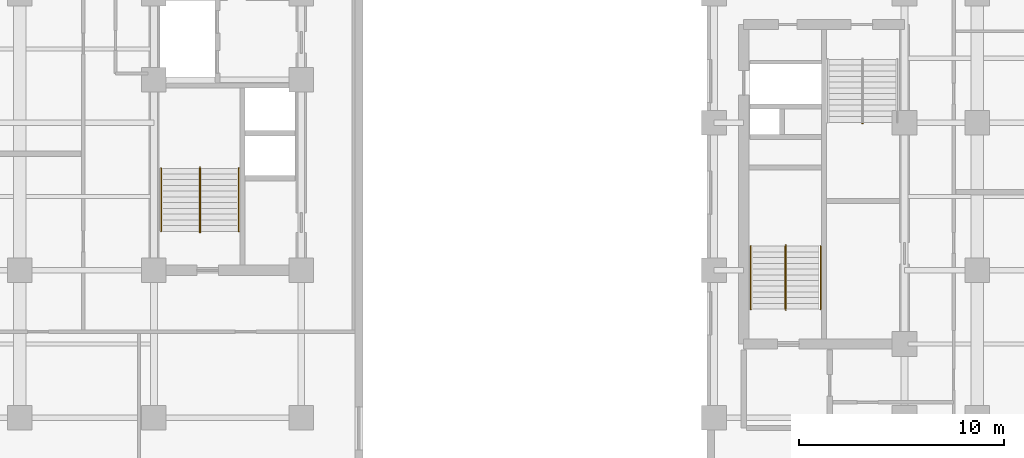
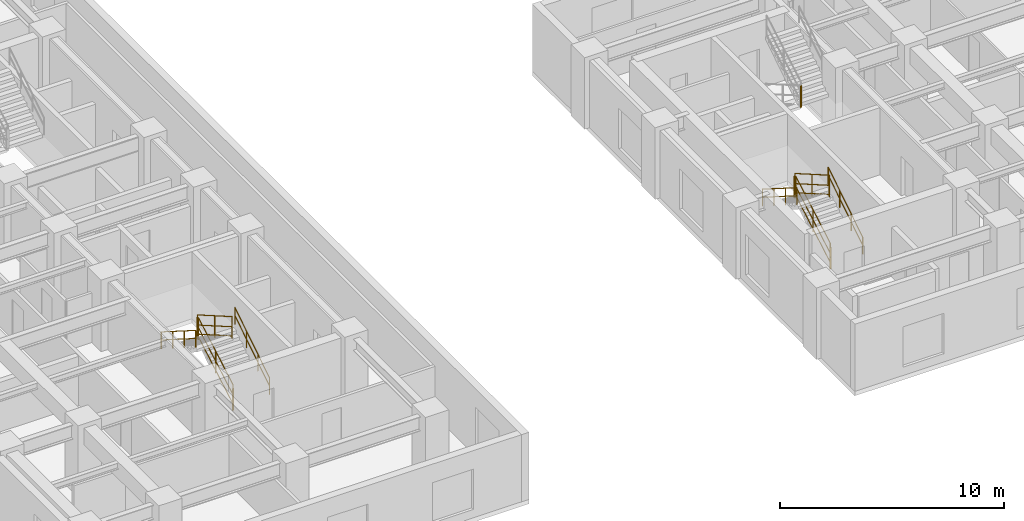
# One storey, part 6 of 8: 13 railings.
"""IFC4 building model written with IfcOpenShell, lengths in metres."""

import ifcopenshell
import ifcopenshell.guid

model = None  # the IFC model being written
_history = None  # IfcOwnerHistory: only IFC2X3 demands one
_inside = {}  # id of a spatial element -> (the spatial element, [elements in it])
_under = {}  # id of a project, library or spatial element -> (it, [spatial elements below it])
_declared = {}  # id of a project -> (the project, [libraries it declares])
_typed = {}  # id of a type object -> (the type object, [elements of that type])
_made_of = {}  # id of a material, layer set ... -> (it, [elements and type objects made of it])


def new_model(schema):
    """Start an empty IFC model of exactly this schema.

    Asked for "IFC4X3", IfcOpenShell would pick the latest addendum, in which some entities
    have other attributes; the version numbers below select the first issue.
    IFC2X3 requires an IfcOwnerHistory on every rooted entity: one is made here for all.
    """
    global model, _history
    if schema == "IFC4X3":
        model = ifcopenshell.file(schema_version=(4, 3, 0, 0))
    else:
        model = ifcopenshell.file(schema=schema)
    _inside.clear()
    _under.clear()
    _declared.clear()
    _typed.clear()
    _made_of.clear()
    _history = None
    if model.schema == "IFC2X3":
        org = make("IfcOrganization", Name="unknown")
        user = make(
            "IfcPersonAndOrganization",
            ThePerson=make("IfcPerson", FamilyName="unknown"),
            TheOrganization=org,
        )
        app = make(
            "IfcApplication",
            ApplicationDeveloper=org,
            Version="unknown",
            ApplicationFullName="unknown",
            ApplicationIdentifier="unknown",
        )
        _history = make(
            "IfcOwnerHistory",
            OwningUser=user,
            OwningApplication=app,
            ChangeAction="ADDED",
            CreationDate=0,
        )
    return model


def make(cls, **values):
    """One entity of the class cls with the attributes given. An attribute that is None is left unset."""
    return model.create_entity(
        cls, **{name: value for name, value in values.items() if value is not None}
    )


def entity(cls, *values):
    """Any entity or typed value of the class cls, its attributes in the order of the schema. None: left unset."""
    e = model.create_entity(cls)
    for i, value in enumerate(values):
        if value is not None:
            e[i] = value
    return e


def rooted(cls, **values):
    """An entity with a GlobalId (a new one), such as an element, a storey or a relation."""
    return make(cls, GlobalId=ifcopenshell.guid.new(), OwnerHistory=_history, **values)


def si_unit(unit_type, name, prefix=None):
    """IfcSIUnit, for example si_unit("LENGTHUNIT", "METRE", prefix="MILLI")."""
    return make("IfcSIUnit", UnitType=unit_type, Prefix=prefix, Name=name)


def converted_unit(unit_type, name, factor, base, dimensions=None, offset=None):
    """IfcConversionBasedUnit, such as the inch: factor (a typed value) times the base unit."""
    return make(
        "IfcConversionBasedUnit"
        if offset is None
        else "IfcConversionBasedUnitWithOffset",
        ConversionOffset=offset,
        Dimensions=None
        if dimensions is None
        else entity("IfcDimensionalExponents", *dimensions),
        UnitType=unit_type,
        Name=name,
        ConversionFactor=make(
            "IfcMeasureWithUnit", ValueComponent=factor, UnitComponent=base
        ),
    )


def assignment(units):
    """IfcUnitAssignment: the units of a project."""
    return None if units is None else make("IfcUnitAssignment", Units=units)


def point(xyz):
    """IfcCartesianPoint."""
    return None if xyz is None else make("IfcCartesianPoint", Coordinates=xyz)


def direction(xyz):
    """IfcDirection."""
    return None if xyz is None else make("IfcDirection", DirectionRatios=xyz)


def frame(location, z_axis=None, x_axis=None):
    """IfcAxis2Placement3D, a coordinate frame: its origin and axes. An axis left out is left unset."""
    return make(
        "IfcAxis2Placement3D",
        Location=point(location),
        Axis=direction(z_axis),
        RefDirection=direction(x_axis),
    )


def frame_2d(location, x_axis=None):
    """IfcAxis2Placement2D, a coordinate frame in the plane: its origin and x axis."""
    return make(
        "IfcAxis2Placement2D", Location=point(location), RefDirection=direction(x_axis)
    )


def origin_with_axes():
    """The frame at (0, 0, 0) with the z axis (0, 0, 1) and the x axis (1, 0, 0) written out."""
    return frame((0.0, 0.0, 0.0), z_axis=(0.0, 0.0, 1.0), x_axis=(1.0, 0.0, 0.0))


def origin_2d_with_axis():
    """The frame at (0, 0) in the plane with the x axis (1, 0) written out."""
    return frame_2d((0.0, 0.0), x_axis=(1.0, 0.0))


def place(relative_to, where):
    """IfcLocalPlacement: puts the frame where relative to a parent placement (None: the world)."""
    return make(
        "IfcLocalPlacement", PlacementRelTo=relative_to, RelativePlacement=where
    )


def context(
    kind, dimensions, precision=None, world=None, true_north=None, identifier=None
):
    """IfcGeometricRepresentationContext, for example the 3D "Model" context."""
    return make(
        "IfcGeometricRepresentationContext",
        ContextIdentifier=identifier,
        ContextType=kind,
        CoordinateSpaceDimension=dimensions,
        Precision=precision,
        WorldCoordinateSystem=world,
        TrueNorth=true_north,
    )


def subcontext(parent, identifier, kind, view, scale=None):
    """IfcGeometricRepresentationSubContext, for example "Body" below "Model"."""
    return make(
        "IfcGeometricRepresentationSubContext",
        ContextIdentifier=identifier,
        ContextType=kind,
        ParentContext=parent,
        TargetScale=scale,
        TargetView=view,
    )


def project(units=None, contexts=None):
    """IfcProject with its units and contexts."""
    return rooted(
        "IfcProject",
        Name="project",
        RepresentationContexts=contexts,
        UnitsInContext=assignment(units),
    )


def spatial(cls, under=None, at=None, **own):
    """A site, building, storey or space (cls), placed at a placement, below another one or the project."""
    s = rooted(cls, ObjectPlacement=at, **own)
    if under is not None:
        _under.setdefault(under.id(), (under, []))[1].append(s)
    return s


def profile(cls, at=None, kind="AREA", **sizes):
    """A parametric profile (cls). Its sizes go by their IFC names, for example OverallWidth=200.0."""
    return make(cls, ProfileType=kind, Position=at, **sizes)


def rectangle(**sizes):
    """IfcRectangleProfileDef."""
    return profile("IfcRectangleProfileDef", **sizes)


def circle(**sizes):
    """IfcCircleProfileDef."""
    return profile("IfcCircleProfileDef", **sizes)


def extrude(swept, where, along, depth):
    """IfcExtrudedAreaSolid: the profile swept, set in the frame where, extruded along a direction by depth."""
    return make(
        "IfcExtrudedAreaSolid",
        SweptArea=swept,
        Position=where,
        ExtrudedDirection=direction(along),
        Depth=depth,
    )


def shape(context_of_items, identifier, shape_type, items):
    """IfcShapeRepresentation: the items that make up one representation, for example the "Body"."""
    return make(
        "IfcShapeRepresentation",
        ContextOfItems=context_of_items,
        RepresentationIdentifier=identifier,
        RepresentationType=shape_type,
        Items=items,
    )


def material(Name=None, Category=None):
    """IfcMaterial."""
    return make("IfcMaterial", Name=Name, Category=Category)


def made_of(thing, what):
    """Note that an element or type object is made of a material, layer set ...; save() writes the relation."""
    if what is not None:
        _made_of.setdefault(what.id(), (what, []))[1].append(thing)
    return thing


def type_object(cls, material=None, **own):
    """A type object (cls), such as IfcWallType, which elements share."""
    return made_of(rooted(cls, **own), material)


def element(
    cls,
    number,
    at=None,
    inside=None,
    cuts=None,
    type_object=None,
    material=None,
    context=None,
    identifier="Body",
    shape_type=None,
    held_by="IfcProductDefinitionShape",
    body=None,
    shapes=None,
    **own,
):
    """One element of the class cls, such as IfcWall. Its Tag is "e" and its number.

    at: its placement. inside: the storey or other place that contains it. cuts: it is an
    opening in that element (IfcRelVoidsElement). A single representation is given by context,
    identifier, shape_type and body (its items); several are given by shapes. held_by: the class
    of the entity that holds the representations. save() writes the other relations.
    """
    e = rooted(cls, Tag="e%d" % number, ObjectPlacement=at, **own)
    if body is not None:
        shapes = [shape(context, identifier, shape_type, body)]
    if shapes is not None:
        e.Representation = make(held_by, Representations=shapes)
    if inside is not None:
        _inside.setdefault(inside.id(), (inside, []))[1].append(e)
    if cuts is not None:
        rooted(
            "IfcRelVoidsElement", RelatingBuildingElement=cuts, RelatedOpeningElement=e
        )
    if type_object is not None:
        _typed.setdefault(type_object.id(), (type_object, []))[1].append(e)
    return made_of(e, material)


def aggregate(whole, parts):
    """IfcRelAggregates: a whole, such as a stair, and the parts it consists of."""
    return rooted("IfcRelAggregates", RelatingObject=whole, RelatedObjects=parts)


def save(model, path):
    """Write the relations noted so far, then the file.

    IfcRelAggregates (storeys below a building ...), IfcRelContainedInSpatialStructure (elements
    in a storey), IfcRelDefinesByType, IfcRelAssociatesMaterial and IfcRelDeclares: one each for
    every whole, place, type object, material and project.
    """
    for whole, parts in _under.values():
        aggregate(whole, parts)
    for where, things in _inside.values():
        rooted(
            "IfcRelContainedInSpatialStructure",
            RelatedElements=things,
            RelatingStructure=where,
        )
    for kind, things in _typed.values():
        rooted("IfcRelDefinesByType", RelatedObjects=things, RelatingType=kind)
    for what, things in _made_of.values():
        rooted("IfcRelAssociatesMaterial", RelatedObjects=things, RelatingMaterial=what)
    for by, libraries in _declared.values():
        rooted("IfcRelDeclares", RelatingContext=by, RelatedDefinitions=libraries)
    model.write(path)


model = new_model("IFC4")

# Units and contexts
model_context = context("Model", 3, precision=1e-05, world=origin_with_axes(), true_north=direction((0.0, 1.0)))
body_context = subcontext(model_context, "Body", "Model", "MODEL_VIEW")
ifc_project = project(units=[si_unit("LENGTHUNIT", "METRE"), si_unit("AREAUNIT", "SQUARE_METRE"), si_unit("VOLUMEUNIT", "CUBIC_METRE"), converted_unit("PLANEANGLEUNIT", "DEGREE", entity("IfcPlaneAngleMeasure", 0.017453292519943295), si_unit("PLANEANGLEUNIT", "RADIAN"), dimensions=[0, 0, 0, 0, 0, 0, 0]), si_unit("MASSUNIT", "GRAM", prefix="KILO"), si_unit("THERMODYNAMICTEMPERATUREUNIT", "KELVIN")], contexts=[model_context])

# Site, building, storey
site_placement = place(None, origin_with_axes())
site = spatial("IfcSite", under=ifc_project, at=site_placement, CompositionType="ELEMENT")
building_placement = place(site_placement, origin_with_axes())
building = spatial("IfcBuilding", under=site, at=building_placement, Name="Varnlund Millrace Tower", CompositionType="ELEMENT")
storey_placement = place(building_placement, frame((0.0, 0.0, 89.1), z_axis=(0.0, 0.0, 1.0), x_axis=(1.0, 0.0, 0.0)))
storey = spatial("IfcBuildingStorey", under=building, at=storey_placement, Name="L21", CompositionType="ELEMENT", Elevation=89.1)

# Railings
ifc_material_1 = material(Name="Painted steel stair well balustrade guard", Category="steel")
railing_type_1 = type_object("IfcRailingType", Name="Type-StairGuard-1150", PredefinedType="GUARDRAIL", material=ifc_material_1)
railing_1_placement = place(storey_placement, frame((0.0, 0.0, -89.1), z_axis=(0.0, 0.0, 1.0), x_axis=(1.0, 0.0, 0.0)))
element("IfcRailing", 1, at=railing_1_placement, inside=storey, type_object=railing_type_1, Name="Type-StairGuard-1150", PredefinedType="GUARDRAIL", context=body_context, shape_type="SweptSolid", body=[
    extrude(circle(Radius=0.024, at=origin_2d_with_axis()), frame((13.675, 12.7, 90.427273), z_axis=(0.0, 0.866696, 0.498836), x_axis=(-1.0, 0.0, 0.0)), (0.0, 0.0, 1.0), 3.553725),
    extrude(circle(Radius=0.024, at=origin_2d_with_axis()), frame((13.675, 12.7, 89.377273), z_axis=(0.0, 0.866696, 0.498836), x_axis=(-1.0, 0.0, 0.0)), (0.0, 0.0, 1.0), 3.553725),
    extrude(circle(Radius=0.024, at=origin_2d_with_axis()), frame((13.675, 12.7, 89.875273), z_axis=(0.0, 0.866696, 0.498836), x_axis=(-1.0, 0.0, 0.0)), (0.0, 0.0, 1.0), 3.553725),
    extrude(rectangle(XDim=0.04, YDim=0.04, at=origin_2d_with_axis()), frame((13.675, 12.7, 89.237273), z_axis=(0.0, 0.0, 1.0), x_axis=(1.0, 0.0, 0.0)), (0.0, 0.0, 1.0), 1.19),
    extrude(rectangle(XDim=0.04, YDim=0.04, at=origin_2d_with_axis()), frame((13.675, 14.24, 90.123636), z_axis=(0.0, 0.0, 1.0), x_axis=(1.0, 0.0, 0.0)), (0.0, 0.0, 1.0), 1.19),
    extrude(rectangle(XDim=0.04, YDim=0.04, at=origin_2d_with_axis()), frame((13.675, 15.78, 91.01), z_axis=(0.0, 0.0, 1.0), x_axis=(1.0, 0.0, 0.0)), (0.0, 0.0, 1.0), 1.19),
])
railing_2_placement = place(storey_placement, frame((0.0, 0.0, -89.1), z_axis=(0.0, 0.0, 1.0), x_axis=(1.0, 0.0, 0.0)))
element("IfcRailing", 2, at=railing_2_placement, inside=storey, type_object=railing_type_1, Name="Type-StairGuard-1150", PredefinedType="GUARDRAIL", context=body_context, shape_type="SweptSolid", body=[
    extrude(circle(Radius=0.024, at=origin_2d_with_axis()), frame((13.625, 15.83, 92.2), z_axis=(1.0, 0.0, 0.0), x_axis=(0.0, 1.0, 0.0)), (0.0, 0.0, 1.0), 0.05),
    extrude(circle(Radius=0.024, at=origin_2d_with_axis()), frame((13.625, 15.83, 91.15), z_axis=(1.0, 0.0, 0.0), x_axis=(0.0, 1.0, 0.0)), (0.0, 0.0, 1.0), 0.05),
    extrude(circle(Radius=0.024, at=origin_2d_with_axis()), frame((13.625, 15.83, 91.648), z_axis=(1.0, 0.0, 0.0), x_axis=(0.0, 1.0, 0.0)), (0.0, 0.0, 1.0), 0.05),
    extrude(rectangle(XDim=0.04, YDim=0.04, at=origin_2d_with_axis()), frame((13.625, 15.83, 91.01), z_axis=(0.0, 0.0, 1.0), x_axis=(1.0, 0.0, 0.0)), (0.0, 0.0, 1.0), 1.19),
    extrude(rectangle(XDim=0.04, YDim=0.04, at=origin_2d_with_axis()), frame((13.675, 15.83, 91.01), z_axis=(0.0, 0.0, 1.0), x_axis=(1.0, 0.0, 0.0)), (0.0, 0.0, 1.0), 1.19),
])
railing_3_placement = place(storey_placement, frame((0.0, 0.0, -89.1), z_axis=(0.0, 0.0, 1.0), x_axis=(1.0, 0.0, 0.0)))
element("IfcRailing", 3, at=railing_3_placement, inside=storey, type_object=railing_type_1, Name="Type-StairGuard-1150", PredefinedType="GUARDRAIL", context=body_context, shape_type="SweptSolid", body=[
    extrude(circle(Radius=0.024, at=origin_2d_with_axis()), frame((13.625, 15.78, 92.377273), z_axis=(0.0, -0.866696, 0.498836), x_axis=(1.0, 0.0, 0.0)), (0.0, 0.0, 1.0), 3.553725),
    extrude(circle(Radius=0.024, at=origin_2d_with_axis()), frame((13.625, 15.78, 91.327273), z_axis=(0.0, -0.866696, 0.498836), x_axis=(1.0, 0.0, 0.0)), (0.0, 0.0, 1.0), 3.553725),
    extrude(circle(Radius=0.024, at=origin_2d_with_axis()), frame((13.625, 15.78, 91.825273), z_axis=(0.0, -0.866696, 0.498836), x_axis=(1.0, 0.0, 0.0)), (0.0, 0.0, 1.0), 3.553725),
    extrude(rectangle(XDim=0.04, YDim=0.04, at=origin_2d_with_axis()), frame((13.625, 15.78, 91.187273), z_axis=(0.0, 0.0, 1.0), x_axis=(1.0, 0.0, 0.0)), (0.0, 0.0, 1.0), 1.19),
    extrude(rectangle(XDim=0.04, YDim=0.04, at=origin_2d_with_axis()), frame((13.625, 14.24, 92.073636), z_axis=(0.0, 0.0, 1.0), x_axis=(1.0, 0.0, 0.0)), (0.0, 0.0, 1.0), 1.19),
    extrude(rectangle(XDim=0.04, YDim=0.04, at=origin_2d_with_axis()), frame((13.625, 12.7, 92.96), z_axis=(0.0, 0.0, 1.0), x_axis=(1.0, 0.0, 0.0)), (0.0, 0.0, 1.0), 1.19),
])
railing_4_placement = place(storey_placement, frame((0.0, 0.0, -89.1), z_axis=(0.0, 0.0, 1.0), x_axis=(1.0, 0.0, 0.0)))
element("IfcRailing", 4, at=railing_4_placement, inside=storey, type_object=railing_type_1, Name="Type-StairGuard-1150", PredefinedType="GUARDRAIL", context=body_context, shape_type="SweptSolid", body=[
    extrude(circle(Radius=0.024, at=origin_2d_with_axis()), frame((13.625, 12.65, 90.25), z_axis=(1.0, 0.0, 0.0), x_axis=(0.0, 1.0, 0.0)), (0.0, 0.0, 1.0), 0.05),
    extrude(circle(Radius=0.024, at=origin_2d_with_axis()), frame((13.625, 12.65, 89.2), z_axis=(1.0, 0.0, 0.0), x_axis=(0.0, 1.0, 0.0)), (0.0, 0.0, 1.0), 0.05),
    extrude(circle(Radius=0.024, at=origin_2d_with_axis()), frame((13.625, 12.65, 89.698), z_axis=(1.0, 0.0, 0.0), x_axis=(0.0, 1.0, 0.0)), (0.0, 0.0, 1.0), 0.05),
    extrude(rectangle(XDim=0.04, YDim=0.04, at=origin_2d_with_axis()), frame((13.625, 12.65, 89.06), z_axis=(0.0, 0.0, 1.0), x_axis=(1.0, 0.0, 0.0)), (0.0, 0.0, 1.0), 1.19),
    extrude(rectangle(XDim=0.04, YDim=0.04, at=origin_2d_with_axis()), frame((13.675, 12.65, 89.06), z_axis=(0.0, 0.0, 1.0), x_axis=(1.0, 0.0, 0.0)), (0.0, 0.0, 1.0), 1.19),
])
railing_5_placement = place(storey_placement, frame((0.0, 0.0, -89.1), z_axis=(0.0, 0.0, 1.0), x_axis=(1.0, 0.0, 0.0)))
element("IfcRailing", 5, at=railing_5_placement, inside=storey, type_object=railing_type_1, Name="Type-StairGuard-1150", PredefinedType="GUARDRAIL", context=body_context, shape_type="SweptSolid", body=[
    extrude(circle(Radius=0.024, at=origin_2d_with_axis()), frame((42.275, 8.9, 90.427273), z_axis=(0.0, 0.866696, 0.498836), x_axis=(-1.0, 0.0, 0.0)), (0.0, 0.0, 1.0), 3.553725),
    extrude(circle(Radius=0.024, at=origin_2d_with_axis()), frame((42.275, 8.9, 89.377273), z_axis=(0.0, 0.866696, 0.498836), x_axis=(-1.0, 0.0, 0.0)), (0.0, 0.0, 1.0), 3.553725),
    extrude(circle(Radius=0.024, at=origin_2d_with_axis()), frame((42.275, 8.9, 89.875273), z_axis=(0.0, 0.866696, 0.498836), x_axis=(-1.0, 0.0, 0.0)), (0.0, 0.0, 1.0), 3.553725),
    extrude(rectangle(XDim=0.04, YDim=0.04, at=origin_2d_with_axis()), frame((42.275, 8.9, 89.237273), z_axis=(0.0, 0.0, 1.0), x_axis=(1.0, 0.0, 0.0)), (0.0, 0.0, 1.0), 1.19),
    extrude(rectangle(XDim=0.04, YDim=0.04, at=origin_2d_with_axis()), frame((42.275, 10.44, 90.123636), z_axis=(0.0, 0.0, 1.0), x_axis=(1.0, 0.0, 0.0)), (0.0, 0.0, 1.0), 1.19),
    extrude(rectangle(XDim=0.04, YDim=0.04, at=origin_2d_with_axis()), frame((42.275, 11.98, 91.01), z_axis=(0.0, 0.0, 1.0), x_axis=(1.0, 0.0, 0.0)), (0.0, 0.0, 1.0), 1.19),
])
railing_6_placement = place(storey_placement, frame((0.0, 0.0, -89.1), z_axis=(0.0, 0.0, 1.0), x_axis=(1.0, 0.0, 0.0)))
element("IfcRailing", 6, at=railing_6_placement, inside=storey, type_object=railing_type_1, Name="Type-StairGuard-1150", PredefinedType="GUARDRAIL", context=body_context, shape_type="SweptSolid", body=[
    extrude(circle(Radius=0.024, at=origin_2d_with_axis()), frame((42.225, 12.03, 92.2), z_axis=(1.0, 0.0, 0.0), x_axis=(0.0, 1.0, 0.0)), (0.0, 0.0, 1.0), 0.05),
    extrude(circle(Radius=0.024, at=origin_2d_with_axis()), frame((42.225, 12.03, 91.15), z_axis=(1.0, 0.0, 0.0), x_axis=(0.0, 1.0, 0.0)), (0.0, 0.0, 1.0), 0.05),
    extrude(circle(Radius=0.024, at=origin_2d_with_axis()), frame((42.225, 12.03, 91.648), z_axis=(1.0, 0.0, 0.0), x_axis=(0.0, 1.0, 0.0)), (0.0, 0.0, 1.0), 0.05),
    extrude(rectangle(XDim=0.04, YDim=0.04, at=origin_2d_with_axis()), frame((42.225, 12.03, 91.01), z_axis=(0.0, 0.0, 1.0), x_axis=(1.0, 0.0, 0.0)), (0.0, 0.0, 1.0), 1.19),
    extrude(rectangle(XDim=0.04, YDim=0.04, at=origin_2d_with_axis()), frame((42.275, 12.03, 91.01), z_axis=(0.0, 0.0, 1.0), x_axis=(1.0, 0.0, 0.0)), (0.0, 0.0, 1.0), 1.19),
])
railing_7_placement = place(storey_placement, frame((0.0, 0.0, -89.1), z_axis=(0.0, 0.0, 1.0), x_axis=(1.0, 0.0, 0.0)))
element("IfcRailing", 7, at=railing_7_placement, inside=storey, type_object=railing_type_1, Name="Type-StairGuard-1150", PredefinedType="GUARDRAIL", context=body_context, shape_type="SweptSolid", body=[
    extrude(circle(Radius=0.024, at=origin_2d_with_axis()), frame((42.225, 11.98, 92.377273), z_axis=(0.0, -0.866696, 0.498836), x_axis=(1.0, 0.0, 0.0)), (0.0, 0.0, 1.0), 3.553725),
    extrude(circle(Radius=0.024, at=origin_2d_with_axis()), frame((42.225, 11.98, 91.327273), z_axis=(0.0, -0.866696, 0.498836), x_axis=(1.0, 0.0, 0.0)), (0.0, 0.0, 1.0), 3.553725),
    extrude(circle(Radius=0.024, at=origin_2d_with_axis()), frame((42.225, 11.98, 91.825273), z_axis=(0.0, -0.866696, 0.498836), x_axis=(1.0, 0.0, 0.0)), (0.0, 0.0, 1.0), 3.553725),
    extrude(rectangle(XDim=0.04, YDim=0.04, at=origin_2d_with_axis()), frame((42.225, 11.98, 91.187273), z_axis=(0.0, 0.0, 1.0), x_axis=(1.0, 0.0, 0.0)), (0.0, 0.0, 1.0), 1.19),
    extrude(rectangle(XDim=0.04, YDim=0.04, at=origin_2d_with_axis()), frame((42.225, 10.44, 92.073636), z_axis=(0.0, 0.0, 1.0), x_axis=(1.0, 0.0, 0.0)), (0.0, 0.0, 1.0), 1.19),
    extrude(rectangle(XDim=0.04, YDim=0.04, at=origin_2d_with_axis()), frame((42.225, 8.9, 92.96), z_axis=(0.0, 0.0, 1.0), x_axis=(1.0, 0.0, 0.0)), (0.0, 0.0, 1.0), 1.19),
])
railing_8_placement = place(storey_placement, frame((0.0, 0.0, -89.1), z_axis=(0.0, 0.0, 1.0), x_axis=(1.0, 0.0, 0.0)))
element("IfcRailing", 8, at=railing_8_placement, inside=storey, type_object=railing_type_1, Name="Type-StairGuard-1150", PredefinedType="GUARDRAIL", context=body_context, shape_type="SweptSolid", body=[
    extrude(circle(Radius=0.024, at=origin_2d_with_axis()), frame((42.225, 8.85, 90.25), z_axis=(1.0, 0.0, 0.0), x_axis=(0.0, 1.0, 0.0)), (0.0, 0.0, 1.0), 0.05),
    extrude(circle(Radius=0.024, at=origin_2d_with_axis()), frame((42.225, 8.85, 89.2), z_axis=(1.0, 0.0, 0.0), x_axis=(0.0, 1.0, 0.0)), (0.0, 0.0, 1.0), 0.05),
    extrude(circle(Radius=0.024, at=origin_2d_with_axis()), frame((42.225, 8.85, 89.698), z_axis=(1.0, 0.0, 0.0), x_axis=(0.0, 1.0, 0.0)), (0.0, 0.0, 1.0), 0.05),
    extrude(rectangle(XDim=0.04, YDim=0.04, at=origin_2d_with_axis()), frame((42.225, 8.85, 89.06), z_axis=(0.0, 0.0, 1.0), x_axis=(1.0, 0.0, 0.0)), (0.0, 0.0, 1.0), 1.19),
    extrude(rectangle(XDim=0.04, YDim=0.04, at=origin_2d_with_axis()), frame((42.275, 8.85, 89.06), z_axis=(0.0, 0.0, 1.0), x_axis=(1.0, 0.0, 0.0)), (0.0, 0.0, 1.0), 1.19),
])
railing_9_placement = place(storey_placement, frame((0.0, 0.0, -89.1), z_axis=(0.0, 0.0, 1.0), x_axis=(1.0, 0.0, 0.0)))
element("IfcRailing", 9, at=railing_9_placement, inside=storey, type_object=railing_type_1, Name="Type-StairGuard-1150", PredefinedType="GUARDRAIL", context=body_context, shape_type="SweptSolid", body=[
    extrude(circle(Radius=0.024, at=origin_2d_with_axis()), frame((46.025, 17.97, 92.2), z_axis=(-1.0, 0.0, 0.0), x_axis=(0.0, -1.0, 0.0)), (0.0, 0.0, 1.0), 0.05),
    extrude(circle(Radius=0.024, at=origin_2d_with_axis()), frame((46.025, 17.97, 91.15), z_axis=(-1.0, 0.0, 0.0), x_axis=(0.0, -1.0, 0.0)), (0.0, 0.0, 1.0), 0.05),
    extrude(circle(Radius=0.024, at=origin_2d_with_axis()), frame((46.025, 17.97, 91.648), z_axis=(-1.0, 0.0, 0.0), x_axis=(0.0, -1.0, 0.0)), (0.0, 0.0, 1.0), 0.05),
    extrude(rectangle(XDim=0.04, YDim=0.04, at=origin_2d_with_axis()), frame((46.025, 17.97, 91.01), z_axis=(0.0, 0.0, 1.0), x_axis=(1.0, 0.0, 0.0)), (0.0, 0.0, 1.0), 1.19),
    extrude(rectangle(XDim=0.04, YDim=0.04, at=origin_2d_with_axis()), frame((45.975, 17.97, 91.01), z_axis=(0.0, 0.0, 1.0), x_axis=(1.0, 0.0, 0.0)), (0.0, 0.0, 1.0), 1.19),
])
ifc_material_2 = material(Name="Brushed architectural bronze stair handrail", Category="aluminium")
railing_type_2 = type_object("IfcRailingType", Name="Type-StairHandrail-900", PredefinedType="HANDRAIL", material=ifc_material_2)
railing_10_placement = place(storey_placement, frame((0.0, 0.0, -89.1), z_axis=(0.0, 0.0, 1.0), x_axis=(1.0, 0.0, 0.0)))
element("IfcRailing", 10, at=railing_10_placement, inside=storey, type_object=railing_type_2, Name="Type-StairHandrail-900", PredefinedType="HANDRAIL", context=body_context, shape_type="SweptSolid", body=[
    extrude(circle(Radius=0.024, at=origin_2d_with_axis()), frame((15.55, 12.7, 90.156995), z_axis=(0.0, 0.844902, 0.534922), x_axis=(-1.0, 0.0, 0.0)), (0.0, 0.0, 1.0), 3.645394),
    extrude(circle(Radius=0.024, at=origin_2d_with_axis()), frame((15.55, 12.7, 89.717134), z_axis=(0.0, 0.844902, 0.534922), x_axis=(-1.0, 0.0, 0.0)), (0.0, 0.0, 1.0), 3.645394),
    extrude(rectangle(XDim=0.04, YDim=0.04, at=origin_2d_with_axis()), frame((15.55, 12.7, 89.237273), z_axis=(0.0, 0.0, 1.0), x_axis=(1.0, 0.0, 0.0)), (0.0, 0.0, 1.0), 0.919722),
    extrude(rectangle(XDim=0.04, YDim=0.04, at=origin_2d_with_axis()), frame((15.55, 13.726667, 89.887273), z_axis=(0.0, 0.0, 1.0), x_axis=(1.0, 0.0, 0.0)), (0.0, 0.0, 1.0), 0.919722),
    extrude(rectangle(XDim=0.04, YDim=0.04, at=origin_2d_with_axis()), frame((15.55, 14.753333, 90.537273), z_axis=(0.0, 0.0, 1.0), x_axis=(1.0, 0.0, 0.0)), (0.0, 0.0, 1.0), 0.919722),
    extrude(rectangle(XDim=0.04, YDim=0.04, at=origin_2d_with_axis()), frame((15.55, 15.78, 91.187273), z_axis=(0.0, 0.0, 1.0), x_axis=(1.0, 0.0, 0.0)), (0.0, 0.0, 1.0), 0.919722),
])
railing_11_placement = place(storey_placement, frame((0.0, 0.0, -89.1), z_axis=(0.0, 0.0, 1.0), x_axis=(1.0, 0.0, 0.0)))
element("IfcRailing", 11, at=railing_11_placement, inside=storey, type_object=railing_type_2, Name="Type-StairHandrail-900", PredefinedType="HANDRAIL", context=body_context, shape_type="SweptSolid", body=[
    extrude(circle(Radius=0.024, at=origin_2d_with_axis()), frame((11.75, 15.78, 92.106995), z_axis=(0.0, -0.844902, 0.534922), x_axis=(1.0, 0.0, 0.0)), (0.0, 0.0, 1.0), 3.645394),
    extrude(circle(Radius=0.024, at=origin_2d_with_axis()), frame((11.75, 15.78, 91.667134), z_axis=(0.0, -0.844902, 0.534922), x_axis=(1.0, 0.0, 0.0)), (0.0, 0.0, 1.0), 3.645394),
    extrude(rectangle(XDim=0.04, YDim=0.04, at=origin_2d_with_axis()), frame((11.75, 15.78, 91.187273), z_axis=(0.0, 0.0, 1.0), x_axis=(1.0, 0.0, 0.0)), (0.0, 0.0, 1.0), 0.919722),
    extrude(rectangle(XDim=0.04, YDim=0.04, at=origin_2d_with_axis()), frame((11.75, 14.753333, 91.837273), z_axis=(0.0, 0.0, 1.0), x_axis=(1.0, 0.0, 0.0)), (0.0, 0.0, 1.0), 0.919722),
    extrude(rectangle(XDim=0.04, YDim=0.04, at=origin_2d_with_axis()), frame((11.75, 13.726667, 92.487273), z_axis=(0.0, 0.0, 1.0), x_axis=(1.0, 0.0, 0.0)), (0.0, 0.0, 1.0), 0.919722),
    extrude(rectangle(XDim=0.04, YDim=0.04, at=origin_2d_with_axis()), frame((11.75, 12.7, 93.137273), z_axis=(0.0, 0.0, 1.0), x_axis=(1.0, 0.0, 0.0)), (0.0, 0.0, 1.0), 0.919722),
])
railing_12_placement = place(storey_placement, frame((0.0, 0.0, -89.1), z_axis=(0.0, 0.0, 1.0), x_axis=(1.0, 0.0, 0.0)))
element("IfcRailing", 12, at=railing_12_placement, inside=storey, type_object=railing_type_2, Name="Type-StairHandrail-900", PredefinedType="HANDRAIL", context=body_context, shape_type="SweptSolid", body=[
    extrude(circle(Radius=0.024, at=origin_2d_with_axis()), frame((43.95, 8.9, 90.156995), z_axis=(0.0, 0.844902, 0.534922), x_axis=(-1.0, 0.0, 0.0)), (0.0, 0.0, 1.0), 3.645394),
    extrude(circle(Radius=0.024, at=origin_2d_with_axis()), frame((43.95, 8.9, 89.717134), z_axis=(0.0, 0.844902, 0.534922), x_axis=(-1.0, 0.0, 0.0)), (0.0, 0.0, 1.0), 3.645394),
    extrude(rectangle(XDim=0.04, YDim=0.04, at=origin_2d_with_axis()), frame((43.95, 8.9, 89.237273), z_axis=(0.0, 0.0, 1.0), x_axis=(1.0, 0.0, 0.0)), (0.0, 0.0, 1.0), 0.919722),
    extrude(rectangle(XDim=0.04, YDim=0.04, at=origin_2d_with_axis()), frame((43.95, 9.926667, 89.887273), z_axis=(0.0, 0.0, 1.0), x_axis=(1.0, 0.0, 0.0)), (0.0, 0.0, 1.0), 0.919722),
    extrude(rectangle(XDim=0.04, YDim=0.04, at=origin_2d_with_axis()), frame((43.95, 10.953333, 90.537273), z_axis=(0.0, 0.0, 1.0), x_axis=(1.0, 0.0, 0.0)), (0.0, 0.0, 1.0), 0.919722),
    extrude(rectangle(XDim=0.04, YDim=0.04, at=origin_2d_with_axis()), frame((43.95, 11.98, 91.187273), z_axis=(0.0, 0.0, 1.0), x_axis=(1.0, 0.0, 0.0)), (0.0, 0.0, 1.0), 0.919722),
])
railing_13_placement = place(storey_placement, frame((0.0, 0.0, -89.1), z_axis=(0.0, 0.0, 1.0), x_axis=(1.0, 0.0, 0.0)))
element("IfcRailing", 13, at=railing_13_placement, inside=storey, type_object=railing_type_2, Name="Type-StairHandrail-900", PredefinedType="HANDRAIL", context=body_context, shape_type="SweptSolid", body=[
    extrude(circle(Radius=0.024, at=origin_2d_with_axis()), frame((40.55, 11.98, 92.106995), z_axis=(0.0, -0.844902, 0.534922), x_axis=(1.0, 0.0, 0.0)), (0.0, 0.0, 1.0), 3.645394),
    extrude(circle(Radius=0.024, at=origin_2d_with_axis()), frame((40.55, 11.98, 91.667134), z_axis=(0.0, -0.844902, 0.534922), x_axis=(1.0, 0.0, 0.0)), (0.0, 0.0, 1.0), 3.645394),
    extrude(rectangle(XDim=0.04, YDim=0.04, at=origin_2d_with_axis()), frame((40.55, 11.98, 91.187273), z_axis=(0.0, 0.0, 1.0), x_axis=(1.0, 0.0, 0.0)), (0.0, 0.0, 1.0), 0.919722),
    extrude(rectangle(XDim=0.04, YDim=0.04, at=origin_2d_with_axis()), frame((40.55, 10.953333, 91.837273), z_axis=(0.0, 0.0, 1.0), x_axis=(1.0, 0.0, 0.0)), (0.0, 0.0, 1.0), 0.919722),
    extrude(rectangle(XDim=0.04, YDim=0.04, at=origin_2d_with_axis()), frame((40.55, 9.926667, 92.487273), z_axis=(0.0, 0.0, 1.0), x_axis=(1.0, 0.0, 0.0)), (0.0, 0.0, 1.0), 0.919722),
    extrude(rectangle(XDim=0.04, YDim=0.04, at=origin_2d_with_axis()), frame((40.55, 8.9, 93.137273), z_axis=(0.0, 0.0, 1.0), x_axis=(1.0, 0.0, 0.0)), (0.0, 0.0, 1.0), 0.919722),
])

save(model, "model.ifc")
